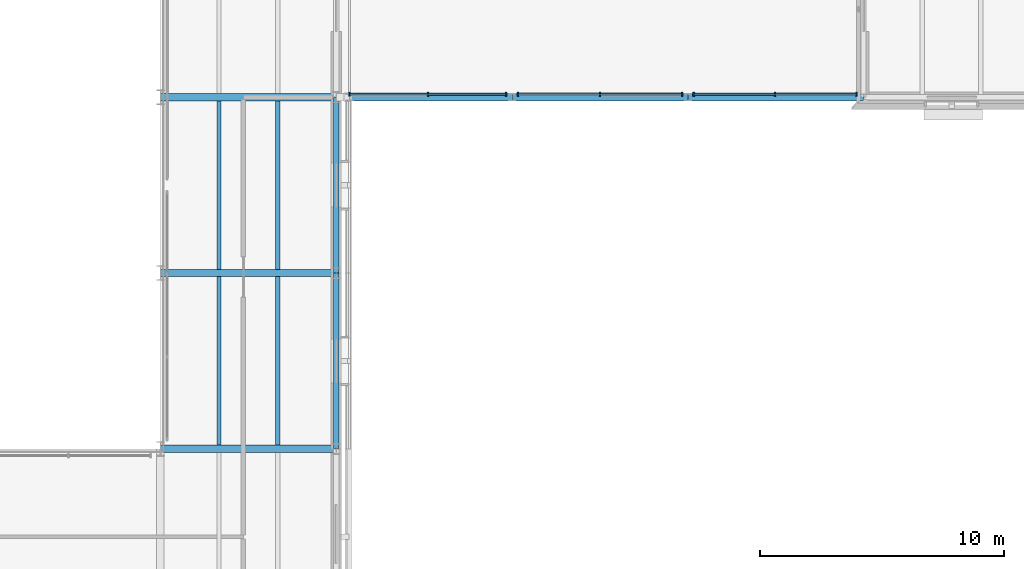
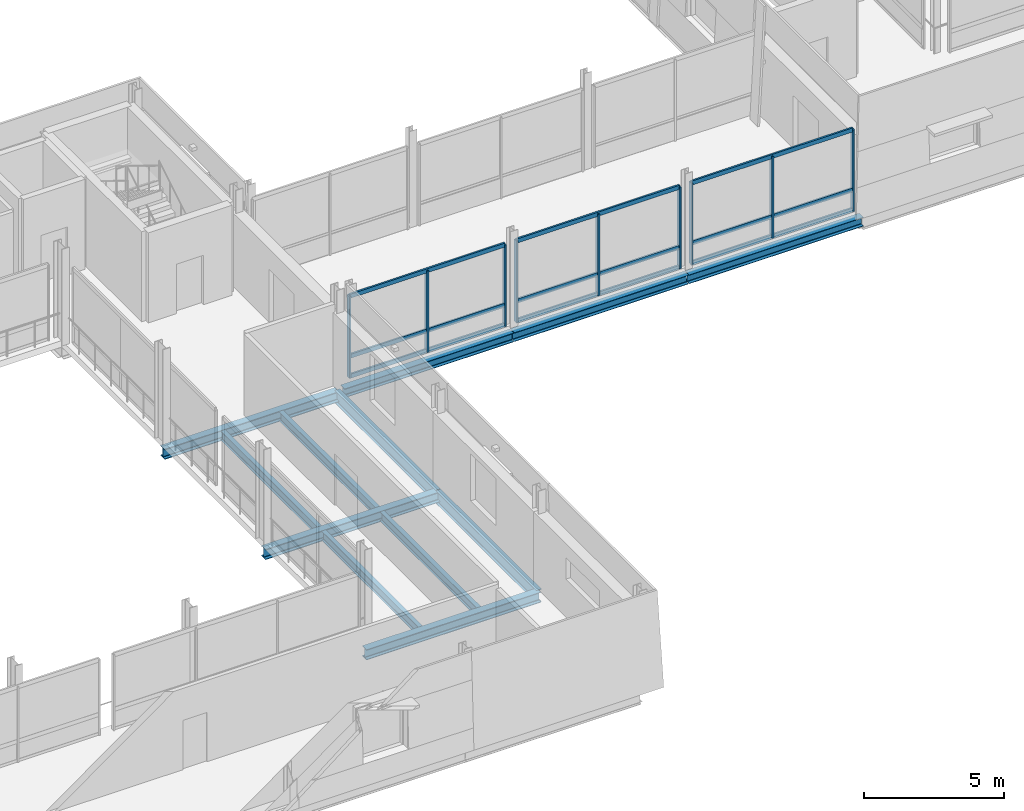
# One storey, part 32 of 115: 18 members, 12 beams, 3 elements without a shape of their own.
"""IFC4 building model written with IfcOpenShell, lengths in metres."""

from ifc_helpers import new_model, si_unit, direction, frame, origin, origin_2d, place, context, subcontext, project, spatial, rectangle, i_section, extrude, material, layer, layer_set, material_profile, profile_set, type_object, element, aggregate, save


model = new_model("IFC4")

# Units and contexts
model_context = context("Model", 3, precision=1e-05, world=origin(), true_north=direction((0.0, 1.0)))
body_context = subcontext(model_context, "Body", "Model", "MODEL_VIEW")
ifc_project = project(units=[si_unit("LENGTHUNIT", "METRE"), si_unit("AREAUNIT", "SQUARE_METRE"), si_unit("VOLUMEUNIT", "CUBIC_METRE"), si_unit("PLANEANGLEUNIT", "RADIAN"), si_unit("MASSUNIT", "GRAM", prefix="KILO")], contexts=[model_context])

# Site, building, storey
site_placement = place(None, origin())
site = spatial("IfcSite", under=ifc_project, at=site_placement, CompositionType="ELEMENT")
building_placement = place(site_placement, origin())
building = spatial("IfcBuilding", under=site, at=building_placement, Name="Narikvali Park Central Library", CompositionType="ELEMENT")
storey_placement = place(building_placement, frame((0.0, 0.0, 10.199951171875)))
storey = spatial("IfcBuildingStorey", under=building, at=storey_placement, Name="L02", CompositionType="ELEMENT", Elevation=10.199951171875)

# Beams
ifc_material_1 = material(Name="Steel S355", Category="steel")
ifc_material_profile_1 = material_profile(ifc_material_1, i_section(OverallWidth=0.300048828125, OverallDepth=0.449951171875, WebThickness=0.013916015625, FlangeThickness=0.02587890625, FilletRadius=0.027099609375, at=origin_2d()), Name="HEB 450")
ifc_profile_set_1 = profile_set([ifc_material_profile_1], Name="Steel S355")
beam_type_1 = type_object("IfcBeamType", Name="Atrium Edge Girder HEB450", PredefinedType="BEAM", material=ifc_profile_set_1)
for number, where, z_axis, x_axis, name in (
    (1, (93.60791015625, 64.800048828125, -0.5048828125), (1.0, 0.0, 0.0), (0.0, 1.0, 0.0), "V1 L02 Girder X"),
    (2, (93.60791015625, 72.0, -0.5048828125), (1.0, 0.0, 0.0), (0.0, 1.0, 0.0), "V1 L02 Girder X"),
    (3, (93.60791015625, 79.199951171875, -0.5048828125), (1.0, 0.0, 0.0), (0.0, 1.0, 0.0), "V1 L02 Girder X"),
):
    element("IfcBeam", number, at=place(storey_placement, frame(where, z_axis=z_axis, x_axis=x_axis)), inside=storey, type_object=beam_type_1, Name=name, PredefinedType="BEAM", context=body_context, shape_type="SweptSolid", body=[
        extrude(i_section(OverallWidth=0.300048828125, OverallDepth=0.449951171875, WebThickness=0.013916015625, FlangeThickness=0.02587890625, FilletRadius=0.027099609375, at=origin_2d()), origin(), (0.0, 0.0, 1.0), 7.18408203125),
    ])
ifc_material_profile_2 = material_profile(ifc_material_1, i_section(OverallWidth=0.300048828125, OverallDepth=0.389892578125, WebThickness=0.010986328125, FlangeThickness=0.01904296875, FilletRadius=0.027099609375, at=origin_2d()), Name="HEA 400")
ifc_profile_set_2 = profile_set([ifc_material_profile_2], Name="Steel S355")
beam_type_2 = type_object("IfcBeamType", Name="Colonnade Bridge Girder HEA400", PredefinedType="BEAM", material=ifc_profile_set_2)
beam_placement = place(storey_placement, frame((101.02001953125, 79.199951171875, -0.445068359375), z_axis=(1.0, 0.0, 0.0), x_axis=(0.0, 1.0, 0.0)))
element("IfcBeam", 4, at=beam_placement, inside=storey, type_object=beam_type_2, Name="BRG-3 L02 Sliding Bridge Girder 1-1", PredefinedType="BEAM", context=body_context, shape_type="SweptSolid", body=[
    extrude(i_section(OverallWidth=0.300048828125, OverallDepth=0.389892578125, WebThickness=0.010986328125, FlangeThickness=0.01904296875, FilletRadius=0.027099609375, at=origin_2d()), origin(), (0.0, 0.0, 1.0), 6.969970703125),
])
for number, where, z_axis, x_axis, name in (
    (5, (108.010009765625, 79.199951171875, -0.445068359375), (1.0, 0.0, 0.0), (0.0, 1.0, 0.0), "BRG-3 L02 Sliding Bridge Girder 1-2"),
    (6, (115.2099609375, 79.199951171875, -0.445068359375), (1.0, 0.0, 0.0), (0.0, 1.0, 0.0), "BRG-3 L02 Sliding Bridge Girder 1-3"),
):
    element("IfcBeam", number, at=place(storey_placement, frame(where, z_axis=z_axis, x_axis=x_axis)), inside=storey, type_object=beam_type_2, Name=name, PredefinedType="BEAM", context=body_context, shape_type="SweptSolid", body=[
        extrude(i_section(OverallWidth=0.300048828125, OverallDepth=0.389892578125, WebThickness=0.010986328125, FlangeThickness=0.01904296875, FilletRadius=0.027099609375, at=origin_2d()), origin(), (0.0, 0.0, 1.0), 7.179931640625),
    ])

# Curtain wall, members
ifc_material_2 = material(Name="Anodised Bronze Aluminium", Category="aluminium")
ifc_layer = layer(ifc_material_2, 0.219970703125, Name="Anodised Bronze Aluminium")
ifc_layer_set = layer_set([ifc_layer], Name="Anodised Bronze Aluminium")
curtain_wall_type = type_object("IfcCurtainWallType", Name="Bridge Covered Passage Glazing System", PredefinedType="NOTDEFINED", material=ifc_layer_set)
curtain_wall_1_placement = place(storey_placement, origin())
curtain_wall_1 = element("IfcCurtainWall", 7, at=curtain_wall_1_placement, inside=storey, type_object=curtain_wall_type, Name="Bridge Covered Passage Glazing System CW-BRG-3-L02-S1", PredefinedType="NOTDEFINED")
ifc_material_profile_3 = material_profile(ifc_material_2, rectangle(XDim=0.074951171875, YDim=0.179931640625, at=origin_2d()), Name="CW TRANSOM 75x180")
ifc_profile_set_3 = profile_set([ifc_material_profile_3], Name="Anodised Bronze Aluminium")
member_type_1 = type_object("IfcMemberType", Name="Curtain Wall Heavy Transom 75x180", PredefinedType="USERDEFINED", material=ifc_profile_set_3)
member_1_placement = place(storey_placement, frame((101.35009765625, 79.320068359375, 0.030029296875), z_axis=(1.0, 0.0, 0.0), x_axis=(0.0, 1.0, 0.0)))
member_1 = element("IfcMember", 8, at=member_1_placement, type_object=member_type_1, Name="CW-BRG-3-L02-S1 Transom 00", ObjectType="TRANSOM", PredefinedType="USERDEFINED", context=body_context, shape_type="SweptSolid", body=[
    extrude(rectangle(XDim=0.074951171875, YDim=0.179931640625, at=origin_2d()), origin(), (0.0, 0.0, 1.0), 6.409912109375),
])
member_2_placement = place(storey_placement, frame((101.35009765625, 79.320068359375, 0.900146484375), z_axis=(1.0, 0.0, 0.0), x_axis=(0.0, 1.0, 0.0)))
member_2 = element("IfcMember", 9, at=member_2_placement, type_object=member_type_1, Name="CW-BRG-3-L02-S1 Transom 01", ObjectType="TRANSOM", PredefinedType="USERDEFINED", context=body_context, shape_type="SweptSolid", body=[
    extrude(rectangle(XDim=0.074951171875, YDim=0.179931640625, at=origin_2d()), origin(), (0.0, 0.0, 1.0), 6.409912109375),
])
member_3_placement = place(storey_placement, frame((101.35009765625, 79.320068359375, 3.52001953125), z_axis=(1.0, 0.0, 0.0), x_axis=(0.0, 1.0, 0.0)))
member_3 = element("IfcMember", 10, at=member_3_placement, type_object=member_type_1, Name="CW-BRG-3-L02-S1 Transom 02", ObjectType="TRANSOM", PredefinedType="USERDEFINED", context=body_context, shape_type="SweptSolid", body=[
    extrude(rectangle(XDim=0.074951171875, YDim=0.179931640625, at=origin_2d()), origin(), (0.0, 0.0, 1.0), 6.409912109375),
])

curtain_wall_2_placement = place(storey_placement, origin())
curtain_wall_2 = element("IfcCurtainWall", 11, at=curtain_wall_2_placement, inside=storey, type_object=curtain_wall_type, Name="Bridge Covered Passage Glazing System CW-BRG-3-L02-S2", PredefinedType="NOTDEFINED")
member_4_placement = place(storey_placement, frame((108.239990234375, 79.320068359375, 0.030029296875), z_axis=(1.0, 0.0, 0.0), x_axis=(0.0, 1.0, 0.0)))
member_4 = element("IfcMember", 12, at=member_4_placement, type_object=member_type_1, Name="CW-BRG-3-L02-S2 Transom 00", ObjectType="TRANSOM", PredefinedType="USERDEFINED", context=body_context, shape_type="SweptSolid", body=[
    extrude(rectangle(XDim=0.074951171875, YDim=0.179931640625, at=origin_2d()), origin(), (0.0, 0.0, 1.0), 6.719970703125),
])
member_5_placement = place(storey_placement, frame((108.239990234375, 79.320068359375, 0.900146484375), z_axis=(1.0, 0.0, 0.0), x_axis=(0.0, 1.0, 0.0)))
member_5 = element("IfcMember", 13, at=member_5_placement, type_object=member_type_1, Name="CW-BRG-3-L02-S2 Transom 01", ObjectType="TRANSOM", PredefinedType="USERDEFINED", context=body_context, shape_type="SweptSolid", body=[
    extrude(rectangle(XDim=0.074951171875, YDim=0.179931640625, at=origin_2d()), origin(), (0.0, 0.0, 1.0), 6.719970703125),
])
member_6_placement = place(storey_placement, frame((108.239990234375, 79.320068359375, 3.52001953125), z_axis=(1.0, 0.0, 0.0), x_axis=(0.0, 1.0, 0.0)))
member_6 = element("IfcMember", 14, at=member_6_placement, type_object=member_type_1, Name="CW-BRG-3-L02-S2 Transom 02", ObjectType="TRANSOM", PredefinedType="USERDEFINED", context=body_context, shape_type="SweptSolid", body=[
    extrude(rectangle(XDim=0.074951171875, YDim=0.179931640625, at=origin_2d()), origin(), (0.0, 0.0, 1.0), 6.719970703125),
])

curtain_wall_3_placement = place(storey_placement, origin())
curtain_wall_3 = element("IfcCurtainWall", 15, at=curtain_wall_3_placement, inside=storey, type_object=curtain_wall_type, Name="Bridge Covered Passage Glazing System CW-BRG-3-L02-S3", PredefinedType="NOTDEFINED")
member_7_placement = place(storey_placement, frame((115.43994140625, 79.320068359375, 0.030029296875), z_axis=(1.0, 0.0, 0.0), x_axis=(0.0, 1.0, 0.0)))
member_7 = element("IfcMember", 16, at=member_7_placement, type_object=member_type_1, Name="CW-BRG-3-L02-S3 Transom 00", ObjectType="TRANSOM", PredefinedType="USERDEFINED", context=body_context, shape_type="SweptSolid", body=[
    extrude(rectangle(XDim=0.074951171875, YDim=0.179931640625, at=origin_2d()), origin(), (0.0, 0.0, 1.0), 6.66015625),
])
member_8_placement = place(storey_placement, frame((115.43994140625, 79.320068359375, 0.900146484375), z_axis=(1.0, 0.0, 0.0), x_axis=(0.0, 1.0, 0.0)))
member_8 = element("IfcMember", 17, at=member_8_placement, type_object=member_type_1, Name="CW-BRG-3-L02-S3 Transom 01", ObjectType="TRANSOM", PredefinedType="USERDEFINED", context=body_context, shape_type="SweptSolid", body=[
    extrude(rectangle(XDim=0.074951171875, YDim=0.179931640625, at=origin_2d()), origin(), (0.0, 0.0, 1.0), 6.66015625),
])
member_9_placement = place(storey_placement, frame((115.43994140625, 79.320068359375, 3.52001953125), z_axis=(1.0, 0.0, 0.0), x_axis=(0.0, 1.0, 0.0)))
member_9 = element("IfcMember", 18, at=member_9_placement, type_object=member_type_1, Name="CW-BRG-3-L02-S3 Transom 02", ObjectType="TRANSOM", PredefinedType="USERDEFINED", context=body_context, shape_type="SweptSolid", body=[
    extrude(rectangle(XDim=0.074951171875, YDim=0.179931640625, at=origin_2d()), origin(), (0.0, 0.0, 1.0), 6.66015625),
])

# Member
ifc_material_profile_4 = material_profile(ifc_material_2, rectangle(XDim=0.06494140625, YDim=0.179931640625, at=origin_2d()), Name="CW MULLION 65x180")
ifc_profile_set_4 = profile_set([ifc_material_profile_4], Name="Anodised Bronze Aluminium")
member_type_2 = type_object("IfcMemberType", Name="Curtain Wall Mullion 65x180", PredefinedType="MULLION", material=ifc_profile_set_4)
member_10_placement = place(storey_placement, frame((101.35009765625, 79.320068359375, -0.010009765625), z_axis=(0.0, 0.0, 1.0), x_axis=(1.0, 0.0, 0.0)))
member_10 = element("IfcMember", 19, at=member_10_placement, type_object=member_type_2, Name="CW-BRG-3-L02-S1 Mullion 00", PredefinedType="MULLION", context=body_context, shape_type="SweptSolid", body=[
    extrude(rectangle(XDim=0.06494140625, YDim=0.179931640625, at=origin_2d()), origin(), (0.0, 0.0, 1.0), 3.56005859375),
])

member_11_placement = place(storey_placement, frame((104.554931640625, 79.320068359375, -0.010009765625), z_axis=(0.0, 0.0, 1.0), x_axis=(1.0, 0.0, 0.0)))
member_11 = element("IfcMember", 20, at=member_11_placement, type_object=member_type_2, Name="CW-BRG-3-L02-S1 Mullion 01", PredefinedType="MULLION", context=body_context, shape_type="SweptSolid", body=[
    extrude(rectangle(XDim=0.06494140625, YDim=0.179931640625, at=origin_2d()), origin(), (0.0, 0.0, 1.0), 3.56005859375),
])

member_12_placement = place(storey_placement, frame((107.760009765625, 79.320068359375, -0.010009765625), z_axis=(0.0, 0.0, 1.0), x_axis=(1.0, 0.0, 0.0)))
member_12 = element("IfcMember", 21, at=member_12_placement, type_object=member_type_2, Name="CW-BRG-3-L02-S1 Mullion 02", PredefinedType="MULLION", context=body_context, shape_type="SweptSolid", body=[
    extrude(rectangle(XDim=0.06494140625, YDim=0.179931640625, at=origin_2d()), origin(), (0.0, 0.0, 1.0), 3.56005859375),
])

aggregate(curtain_wall_1, [member_10, member_11, member_12, member_1, member_2, member_3])

member_13_placement = place(storey_placement, frame((108.239990234375, 79.320068359375, -0.010009765625), z_axis=(0.0, 0.0, 1.0), x_axis=(1.0, 0.0, 0.0)))
member_13 = element("IfcMember", 22, at=member_13_placement, type_object=member_type_2, Name="CW-BRG-3-L02-S2 Mullion 00", PredefinedType="MULLION", context=body_context, shape_type="SweptSolid", body=[
    extrude(rectangle(XDim=0.06494140625, YDim=0.179931640625, at=origin_2d()), origin(), (0.0, 0.0, 1.0), 3.56005859375),
])

member_14_placement = place(storey_placement, frame((111.60009765625, 79.320068359375, -0.010009765625), z_axis=(0.0, 0.0, 1.0), x_axis=(1.0, 0.0, 0.0)))
member_14 = element("IfcMember", 23, at=member_14_placement, type_object=member_type_2, Name="CW-BRG-3-L02-S2 Mullion 01", PredefinedType="MULLION", context=body_context, shape_type="SweptSolid", body=[
    extrude(rectangle(XDim=0.06494140625, YDim=0.179931640625, at=origin_2d()), origin(), (0.0, 0.0, 1.0), 3.56005859375),
])

member_15_placement = place(storey_placement, frame((114.9599609375, 79.320068359375, -0.010009765625), z_axis=(0.0, 0.0, 1.0), x_axis=(1.0, 0.0, 0.0)))
member_15 = element("IfcMember", 24, at=member_15_placement, type_object=member_type_2, Name="CW-BRG-3-L02-S2 Mullion 02", PredefinedType="MULLION", context=body_context, shape_type="SweptSolid", body=[
    extrude(rectangle(XDim=0.06494140625, YDim=0.179931640625, at=origin_2d()), origin(), (0.0, 0.0, 1.0), 3.56005859375),
])

aggregate(curtain_wall_2, [member_13, member_14, member_15, member_4, member_5, member_6])

member_16_placement = place(storey_placement, frame((115.43994140625, 79.320068359375, -0.010009765625), z_axis=(0.0, 0.0, 1.0), x_axis=(1.0, 0.0, 0.0)))
member_16 = element("IfcMember", 25, at=member_16_placement, type_object=member_type_2, Name="CW-BRG-3-L02-S3 Mullion 00", PredefinedType="MULLION", context=body_context, shape_type="SweptSolid", body=[
    extrude(rectangle(XDim=0.06494140625, YDim=0.179931640625, at=origin_2d()), origin(), (0.0, 0.0, 1.0), 3.56005859375),
])

member_17_placement = place(storey_placement, frame((118.77001953125, 79.320068359375, -0.010009765625), z_axis=(0.0, 0.0, 1.0), x_axis=(1.0, 0.0, 0.0)))
member_17 = element("IfcMember", 26, at=member_17_placement, type_object=member_type_2, Name="CW-BRG-3-L02-S3 Mullion 01", PredefinedType="MULLION", context=body_context, shape_type="SweptSolid", body=[
    extrude(rectangle(XDim=0.06494140625, YDim=0.179931640625, at=origin_2d()), origin(), (0.0, 0.0, 1.0), 3.56005859375),
])

member_18_placement = place(storey_placement, frame((122.10009765625, 79.320068359375, -0.010009765625), z_axis=(0.0, 0.0, 1.0), x_axis=(1.0, 0.0, 0.0)))
member_18 = element("IfcMember", 27, at=member_18_placement, type_object=member_type_2, Name="CW-BRG-3-L02-S3 Mullion 02", PredefinedType="MULLION", context=body_context, shape_type="SweptSolid", body=[
    extrude(rectangle(XDim=0.06494140625, YDim=0.179931640625, at=origin_2d()), origin(), (0.0, 0.0, 1.0), 3.56005859375),
])

aggregate(curtain_wall_3, [member_16, member_17, member_18, member_7, member_8, member_9])

# Beams
ifc_material_profile_5 = material_profile(ifc_material_1, i_section(OverallWidth=0.181884765625, OverallDepth=0.404052734375, WebThickness=0.009765625, FlangeThickness=0.015380859375, FilletRadius=0.02099609375, at=origin_2d()), Name="IPEO 400")
ifc_profile_set_5 = profile_set([ifc_material_profile_5], Name="Steel S355")
beam_type_3 = type_object("IfcBeamType", Name="Gallery Floor Joist IPEO400", PredefinedType="JOIST", material=ifc_profile_set_5)
for number, where, z_axis, x_axis, name in (
    (28, (96.0, 64.949951171875, -0.48193359375), (0.0, 1.0, 0.0), (-1.0, 0.0, 0.0), "V1 L02 Composite Joist 1"),
    (29, (98.39990234375, 64.949951171875, -0.48193359375), (0.0, 1.0, 0.0), (-1.0, 0.0, 0.0), "V1 L02 Composite Joist 2"),
    (30, (96.0, 72.14990234375, -0.48193359375), (0.0, 1.0, 0.0), (-1.0, 0.0, 0.0), "V1 L02 Composite Joist 1"),
    (31, (98.39990234375, 72.14990234375, -0.48193359375), (0.0, 1.0, 0.0), (-1.0, 0.0, 0.0), "V1 L02 Composite Joist 2"),
):
    element("IfcBeam", number, at=place(storey_placement, frame(where, z_axis=z_axis, x_axis=x_axis)), inside=storey, type_object=beam_type_3, Name=name, PredefinedType="JOIST", context=body_context, shape_type="SweptSolid", body=[
        extrude(i_section(OverallWidth=0.181884765625, OverallDepth=0.404052734375, WebThickness=0.009765625, FlangeThickness=0.015380859375, FilletRadius=0.02099609375, at=origin_2d()), origin(), (0.0, 0.0, 1.0), 6.900146484375),
    ])
ifc_material_profile_6 = material_profile(ifc_material_1, i_section(OverallWidth=0.2099609375, OverallDepth=0.550048828125, WebThickness=0.010986328125, FlangeThickness=0.01708984375, FilletRadius=0.02392578125, at=origin_2d()), Name="IPE 550")
ifc_profile_set_6 = profile_set([ifc_material_profile_6], Name="Steel S355")
beam_type_4 = type_object("IfcBeamType", Name="Perimeter Spandrel IPE550", PredefinedType="SPANDREL", material=ifc_profile_set_6)
for number, where, z_axis, x_axis, name in (
    (32, (100.800048828125, 64.80810546875, -0.554931640625), (0.0, 1.0, 0.0), (-1.0, 0.0, 0.0), "V1 L02 Girder Y"),
    (33, (100.800048828125, 72.008056640625, -0.554931640625), (0.0, 1.0, 0.0), (-1.0, 0.0, 0.0), "V1 L02 Girder Y"),
):
    element("IfcBeam", number, at=place(storey_placement, frame(where, z_axis=z_axis, x_axis=x_axis)), inside=storey, type_object=beam_type_4, Name=name, PredefinedType="SPANDREL", context=body_context, shape_type="SweptSolid", body=[
        extrude(i_section(OverallWidth=0.2099609375, OverallDepth=0.550048828125, WebThickness=0.010986328125, FlangeThickness=0.01708984375, FilletRadius=0.02392578125, at=origin_2d()), origin(), (0.0, 0.0, 1.0), 7.183837890625),
    ])

save(model, "model.ifc")
